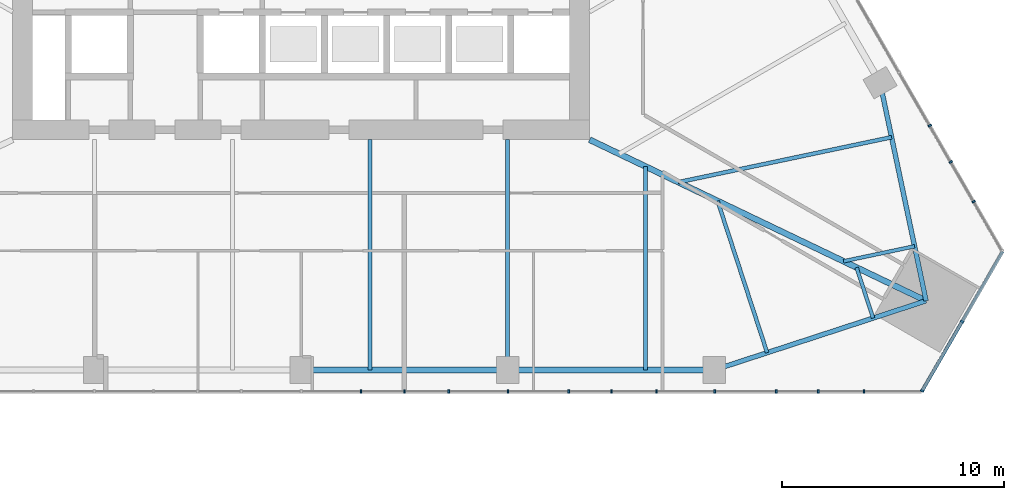
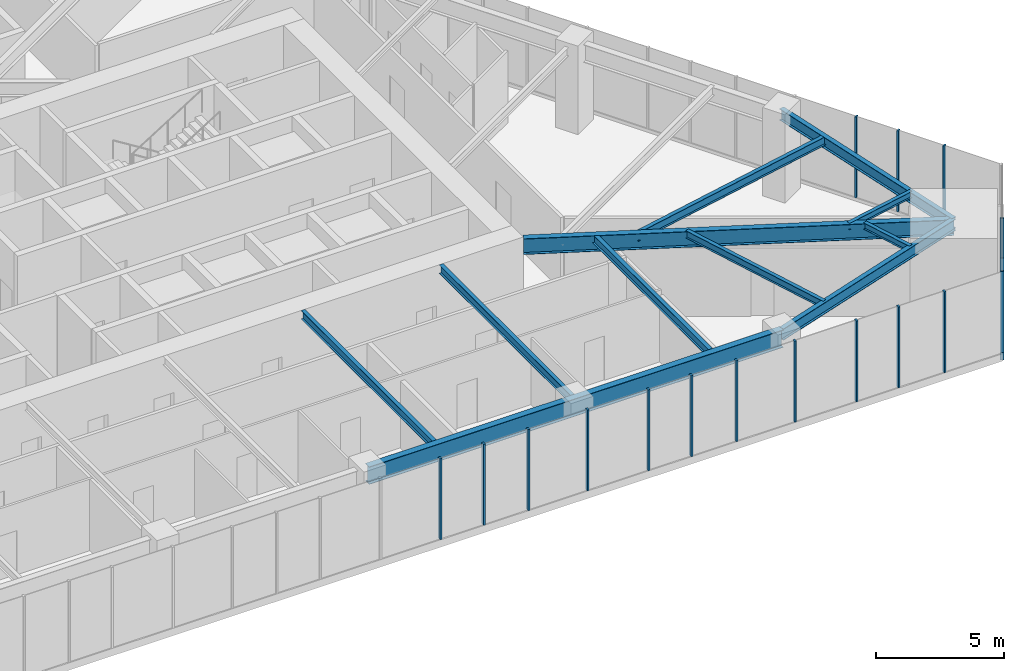
# One storey, part 5 of 25: 18 members, 11 beams, 3 elements without a shape of their own.
"""IFC4 building model written with IfcOpenShell, lengths in metres."""

from ifc_helpers import new_model, si_unit, direction, frame, origin, origin_2d, place, context, subcontext, project, spatial, rectangle, i_section, extrude, material, layer, layer_set, material_profile, profile_set, type_object, element, aggregate, save


model = new_model("IFC4")

# Units and contexts
model_context = context("Model", 3, precision=1e-05, world=origin(), true_north=direction((0.0, 1.0)))
body_context = subcontext(model_context, "Body", "Model", "MODEL_VIEW")
ifc_project = project(units=[si_unit("LENGTHUNIT", "METRE"), si_unit("AREAUNIT", "SQUARE_METRE"), si_unit("VOLUMEUNIT", "CUBIC_METRE"), si_unit("PLANEANGLEUNIT", "RADIAN"), si_unit("MASSUNIT", "GRAM", prefix="KILO")], contexts=[model_context])

# Site, building, storey
site_placement = place(None, origin())
site = spatial("IfcSite", under=ifc_project, at=site_placement, CompositionType="ELEMENT")
building_placement = place(site_placement, origin())
building = spatial("IfcBuilding", under=site, at=building_placement, Name="Firuza Gate Tower and Library", CompositionType="ELEMENT")
storey_placement = place(building_placement, frame((0.0, 0.0, 119.800048828125)))
storey = spatial("IfcBuildingStorey", under=building, at=storey_placement, Name="L27", CompositionType="ELEMENT", Elevation=119.800048828125)

# Curtain wall, members
ifc_material_1 = material(Name="Aluminium 6063-T6", Category="aluminium")
ifc_layer_1 = layer(ifc_material_1, 0.14990234375)
ifc_layer_set_1 = layer_set([ifc_layer_1], Name="Unitised curtain wall, offices")
curtain_wall_type_1 = type_object("IfcCurtainWallType", Name="Unitised curtain wall, offices", PredefinedType="NOTDEFINED", material=ifc_layer_set_1)
placement = place(storey_placement, origin())
curtain_wall_1 = element("IfcCurtainWall", 1, at=placement, inside=storey, type_object=curtain_wall_type_1, Name="CW1 L27 S face", PredefinedType="NOTDEFINED")
ifc_material_2 = material(Name="Aluminium 6063-T6", Category="aluminium")
ifc_material_profile_1 = material_profile(ifc_material_2, rectangle(XDim=0.14990234375, YDim=0.080078125, at=origin_2d()))
ifc_profile_set_1 = profile_set([ifc_material_profile_1], Name="Aluminium 6063-T6")
member_type_1 = type_object("IfcMemberType", Name="Curtain wall mullion 80x150", PredefinedType="MULLION", material=ifc_profile_set_1)
member_1_placement = place(storey_placement, frame((79.65966796875, 54.6513671875, 0.14990234375), z_axis=(0.0, 0.0, 1.0), x_axis=(0.0, 1.0, 0.0)))
member_1 = element("IfcMember", 2, at=member_1_placement, type_object=member_type_1, Name="Mullion", PredefinedType="MULLION", context=body_context, shape_type="SweptSolid", body=[
    extrude(rectangle(XDim=0.14990234375, YDim=0.080078125, at=origin_2d()), origin(), (0.0, 0.0, 1.0), 3.85009765625),
])
member_2_placement = place(storey_placement, frame((84.319580078125, 54.6513671875, 0.14990234375), z_axis=(0.0, 0.0, 1.0), x_axis=(0.0, 1.0, 0.0)))
member_2 = element("IfcMember", 3, at=member_2_placement, type_object=member_type_1, Name="Mullion", PredefinedType="MULLION", context=body_context, shape_type="SweptSolid", body=[
    extrude(rectangle(XDim=0.14990234375, YDim=0.080078125, at=origin_2d()), origin(), (0.0, 0.0, 1.0), 3.85009765625),
])
member_3_placement = place(storey_placement, frame((88.979248046875, 54.6513671875, 0.14990234375), z_axis=(0.0, 0.0, 1.0), x_axis=(0.0, 1.0, 0.0)))
member_3 = element("IfcMember", 4, at=member_3_placement, type_object=member_type_1, Name="Mullion", PredefinedType="MULLION", context=body_context, shape_type="SweptSolid", body=[
    extrude(rectangle(XDim=0.14990234375, YDim=0.080078125, at=origin_2d()), origin(), (0.0, 0.0, 1.0), 3.85009765625),
])
member_4_placement = place(storey_placement, frame((93.638916015625, 54.6513671875, 0.14990234375), z_axis=(0.0, 0.0, 1.0), x_axis=(0.0, 1.0, 0.0)))
member_4 = element("IfcMember", 5, at=member_4_placement, type_object=member_type_1, Name="Mullion", PredefinedType="MULLION", context=body_context, shape_type="SweptSolid", body=[
    extrude(rectangle(XDim=0.14990234375, YDim=0.080078125, at=origin_2d()), origin(), (0.0, 0.0, 1.0), 3.85009765625),
])
member_5_placement = place(storey_placement, frame((98.298828125, 54.6513671875, 0.14990234375), z_axis=(0.0, 0.0, 1.0), x_axis=(0.0, 1.0, 0.0)))
member_5 = element("IfcMember", 6, at=member_5_placement, type_object=member_type_1, Name="Mullion", PredefinedType="MULLION", context=body_context, shape_type="SweptSolid", body=[
    extrude(rectangle(XDim=0.14990234375, YDim=0.080078125, at=origin_2d()), origin(), (0.0, 0.0, 1.0), 3.85009765625),
])
member_6_placement = place(storey_placement, frame((77.70068359375, 54.6513671875, 0.14990234375), z_axis=(0.0, 0.0, 1.0), x_axis=(0.0, 1.0, 0.0)))
member_6 = element("IfcMember", 7, at=member_6_placement, type_object=member_type_1, Name="Mullion", PredefinedType="MULLION", context=body_context, shape_type="SweptSolid", body=[
    extrude(rectangle(XDim=0.14990234375, YDim=0.080078125, at=origin_2d()), origin(), (0.0, 0.0, 1.0), 3.85009765625),
])
member_7_placement = place(storey_placement, frame((81.653564453125, 54.6513671875, 0.14990234375), z_axis=(0.0, 0.0, 1.0), x_axis=(0.0, 1.0, 0.0)))
member_7 = element("IfcMember", 8, at=member_7_placement, type_object=member_type_1, Name="Mullion", PredefinedType="MULLION", context=body_context, shape_type="SweptSolid", body=[
    extrude(rectangle(XDim=0.14990234375, YDim=0.080078125, at=origin_2d()), origin(), (0.0, 0.0, 1.0), 3.85009765625),
])
member_8_placement = place(storey_placement, frame((87.054931640625, 54.6513671875, 0.14990234375), z_axis=(0.0, 0.0, 1.0), x_axis=(0.0, 1.0, 0.0)))
member_8 = element("IfcMember", 9, at=member_8_placement, type_object=member_type_1, Name="Mullion", PredefinedType="MULLION", context=body_context, shape_type="SweptSolid", body=[
    extrude(rectangle(XDim=0.14990234375, YDim=0.080078125, at=origin_2d()), origin(), (0.0, 0.0, 1.0), 3.85009765625),
])
member_9_placement = place(storey_placement, frame((91.0078125, 54.6513671875, 0.14990234375), z_axis=(0.0, 0.0, 1.0), x_axis=(0.0, 1.0, 0.0)))
member_9 = element("IfcMember", 10, at=member_9_placement, type_object=member_type_1, Name="Mullion", PredefinedType="MULLION", context=body_context, shape_type="SweptSolid", body=[
    extrude(rectangle(XDim=0.14990234375, YDim=0.080078125, at=origin_2d()), origin(), (0.0, 0.0, 1.0), 3.85009765625),
])
member_10_placement = place(storey_placement, frame((96.4091796875, 54.6513671875, 0.14990234375), z_axis=(0.0, 0.0, 1.0), x_axis=(0.0, 1.0, 0.0)))
member_10 = element("IfcMember", 11, at=member_10_placement, type_object=member_type_1, Name="Mullion", PredefinedType="MULLION", context=body_context, shape_type="SweptSolid", body=[
    extrude(rectangle(XDim=0.14990234375, YDim=0.080078125, at=origin_2d()), origin(), (0.0, 0.0, 1.0), 3.85009765625),
])
member_11_placement = place(storey_placement, frame((100.362060546875, 54.6513671875, 0.14990234375), z_axis=(0.0, 0.0, 1.0), x_axis=(0.0, 1.0, 0.0)))
member_11 = element("IfcMember", 12, at=member_11_placement, type_object=member_type_1, Name="Mullion", PredefinedType="MULLION", context=body_context, shape_type="SweptSolid", body=[
    extrude(rectangle(XDim=0.14990234375, YDim=0.080078125, at=origin_2d()), origin(), (0.0, 0.0, 1.0), 3.85009765625),
])
aggregate(curtain_wall_1, [member_1, member_2, member_3, member_4, member_5, member_6, member_7, member_8, member_9, member_10, member_11])

ifc_material_3 = material(Name="Aluminium 6063-T6", Category="aluminium")
ifc_layer_2 = layer(ifc_material_3, 0.14990234375)
ifc_layer_set_2 = layer_set([ifc_layer_2], Name="Corner curtain wall, chamfers")
curtain_wall_type_2 = type_object("IfcCurtainWallType", Name="Corner curtain wall, chamfers", PredefinedType="NOTDEFINED", material=ifc_layer_set_2)
curtain_wall_2 = element("IfcCurtainWall", 13, at=placement, inside=storey, type_object=curtain_wall_type_2, Name="CW4 L27 SE corner", PredefinedType="NOTDEFINED")
member_12_placement = place(storey_placement, frame((102.978515625, 54.685791015625, 0.14990234375), z_axis=(0.0, 0.0, 1.0), x_axis=(-0.866025403784, 0.5, 0.0)))
member_12 = element("IfcMember", 14, at=member_12_placement, type_object=member_type_1, Name="Mullion", PredefinedType="MULLION", context=body_context, shape_type="SweptSolid", body=[
    extrude(rectangle(XDim=0.14990234375, YDim=0.080078125, at=origin_2d()), origin(), (0.0, 0.0, 1.0), 3.85009765625),
])
member_13_placement = place(storey_placement, frame((104.780029296875, 57.806396484375, 0.14990234375), z_axis=(0.0, 0.0, 1.0), x_axis=(-0.866025403784, 0.5, 0.0)))
member_13 = element("IfcMember", 15, at=member_13_placement, type_object=member_type_1, Name="Mullion", PredefinedType="MULLION", context=body_context, shape_type="SweptSolid", body=[
    extrude(rectangle(XDim=0.14990234375, YDim=0.080078125, at=origin_2d()), origin(), (0.0, 0.0, 1.0), 3.85009765625),
])

curtain_wall_3 = element("IfcCurtainWall", 16, at=placement, inside=storey, type_object=curtain_wall_type_1, Name="CW1 L27 E face", PredefinedType="NOTDEFINED")
member_14_placement = place(storey_placement, frame((104.27197265625, 64.9970703125, 0.14990234375), z_axis=(0.0, 0.0, 1.0), x_axis=(-0.866025403784, -0.5, 0.0)))
member_14 = element("IfcMember", 17, at=member_14_placement, type_object=member_type_1, Name="Mullion", PredefinedType="MULLION", context=body_context, shape_type="SweptSolid", body=[
    extrude(rectangle(XDim=0.14990234375, YDim=0.080078125, at=origin_2d()), origin(), (0.0, 0.0, 1.0), 3.85009765625),
])
member_15_placement = place(storey_placement, frame((105.303466796875, 63.210205078125, 0.14990234375), z_axis=(0.0, 0.0, 1.0), x_axis=(-0.866025403784, -0.5, 0.0)))
member_15 = element("IfcMember", 18, at=member_15_placement, type_object=member_type_1, Name="Mullion", PredefinedType="MULLION", context=body_context, shape_type="SweptSolid", body=[
    extrude(rectangle(XDim=0.14990234375, YDim=0.080078125, at=origin_2d()), origin(), (0.0, 0.0, 1.0), 3.85009765625),
])
member_16_placement = place(storey_placement, frame((103.3271484375, 66.633544921875, 0.14990234375), z_axis=(0.0, 0.0, 1.0), x_axis=(-0.866025403784, -0.5, 0.0)))
member_16 = element("IfcMember", 19, at=member_16_placement, type_object=member_type_1, Name="Mullion", PredefinedType="MULLION", context=body_context, shape_type="SweptSolid", body=[
    extrude(rectangle(XDim=0.14990234375, YDim=0.080078125, at=origin_2d()), origin(), (0.0, 0.0, 1.0), 3.85009765625),
])
aggregate(curtain_wall_3, [member_14, member_15, member_16])

# Member
ifc_material_4 = material(Name="Aluminium 6063-T6", Category="aluminium")
ifc_material_profile_2 = material_profile(ifc_material_4, rectangle(XDim=0.14990234375, YDim=0.35009765625, at=origin_2d()))
ifc_profile_set_2 = profile_set([ifc_material_profile_2], Name="Aluminium 6063-T6")
member_type_2 = type_object("IfcMemberType", Name="Curtain wall transom 350x150", PredefinedType="USERDEFINED", material=ifc_profile_set_2)
member_17_placement = place(storey_placement, frame((102.95849609375, 54.6513671875, -0.025146484375), z_axis=(0.500005719219, 0.866022101766, 0.0), x_axis=(-0.866022101766, 0.500005719219, 0.0)))
member_17 = element("IfcMember", 20, at=member_17_placement, type_object=member_type_2, Name="Transom", ObjectType="TRANSOM", PredefinedType="USERDEFINED", context=body_context, shape_type="SweptSolid", body=[
    extrude(rectangle(XDim=0.14990234375, YDim=0.35009765625, at=origin_2d()), origin(), (0.0, 0.0, 1.0), 7.28662109375),
])

ifc_material_5 = material(Name="Aluminium 6063-T6", Category="aluminium")
ifc_material_profile_3 = material_profile(ifc_material_5, rectangle(XDim=0.14990234375, YDim=0.080078125, at=origin_2d()))
ifc_profile_set_3 = profile_set([ifc_material_profile_3], Name="Aluminium 6063-T6")
member_type_3 = type_object("IfcMemberType", Name="Curtain wall transom 80x150", PredefinedType="USERDEFINED", material=ifc_profile_set_3)
member_18_placement = place(storey_placement, frame((102.978515625, 54.685791015625, 2.074951171875), z_axis=(0.49996364809, 0.866046390552, 0.0), x_axis=(-0.866046390552, 0.49996364809, 0.0)))
member_18 = element("IfcMember", 21, at=member_18_placement, type_object=member_type_3, Name="Transom", ObjectType="TRANSOM", PredefinedType="USERDEFINED", context=body_context, shape_type="SweptSolid", body=[
    extrude(rectangle(XDim=0.14990234375, YDim=0.080078125, at=origin_2d()), origin(), (0.0, 0.0, 1.0), 3.563232421875),
])

aggregate(curtain_wall_2, [member_12, member_13, member_17, member_18])

# Beams
ifc_material_6 = material(Name="Steel S355", Category="steel")
ifc_material_profile_4 = material_profile(ifc_material_6, i_section(OverallWidth=0.1650390625, OverallDepth=0.31005859375, WebThickness=0.005859375, FlangeThickness=0.009765625, at=origin_2d()))
ifc_profile_set_4 = profile_set([ifc_material_profile_4], Name="Steel S355")
beam_type_1 = type_object("IfcBeamType", Name="W310x39 Floor beam", PredefinedType="JOIST", material=ifc_profile_set_4)
beam_1_placement = place(storey_placement, frame((100.769775390625, 57.964599609375, 3.844970703125), z_axis=(-0.31050698786, 0.95057109702, 0.0), x_axis=(-0.95057109702, -0.31050698786, 0.0)))
element("IfcBeam", 22, at=beam_1_placement, inside=storey, type_object=beam_type_1, Name="Floor beam L27 s31", PredefinedType="JOIST", context=body_context, shape_type="SweptSolid", body=[
    extrude(i_section(OverallWidth=0.1650390625, OverallDepth=0.31005859375, WebThickness=0.005859375, FlangeThickness=0.009765625, at=origin_2d()), origin(), (0.0, 0.0, 1.0), 2.396484375),
])
beam_2_placement = place(storey_placement, frame((102.637939453125, 61.200439453125, 3.844970703125), z_axis=(-0.978457064739, -0.206450411631, 0.0), x_axis=(0.206450411631, -0.978457064739, 0.0)))
element("IfcBeam", 23, at=beam_2_placement, inside=storey, type_object=beam_type_1, Name="Floor beam L27 s40", PredefinedType="JOIST", context=body_context, shape_type="SweptSolid", body=[
    extrude(i_section(OverallWidth=0.1650390625, OverallDepth=0.31005859375, WebThickness=0.005859375, FlangeThickness=0.009765625, at=origin_2d()), origin(), (0.0, 0.0, 1.0), 3.272216796875),
])
ifc_material_7 = material(Name="Steel S355", Category="steel")
ifc_material_profile_5 = material_profile(ifc_material_7, i_section(OverallWidth=0.1708984375, OverallDepth=0.35498046875, WebThickness=0.007080078125, FlangeThickness=0.01171875, at=origin_2d()))
ifc_profile_set_5 = profile_set([ifc_material_profile_5], Name="Steel S355")
beam_type_2 = type_object("IfcBeamType", Name="W360x51 Floor beam", PredefinedType="JOIST", material=ifc_profile_set_5)
beam_3_placement = place(storey_placement, frame((95.99658203125, 56.40576171875, 3.822509765625), z_axis=(-0.310435598009, 0.950594413769, 0.0), x_axis=(-0.950594413769, -0.310435598009, 0.0)))
element("IfcBeam", 24, at=beam_3_placement, inside=storey, type_object=beam_type_2, Name="Floor beam L27 s30", PredefinedType="JOIST", context=body_context, shape_type="SweptSolid", body=[
    extrude(i_section(OverallWidth=0.1708984375, OverallDepth=0.35498046875, WebThickness=0.007080078125, FlangeThickness=0.01171875, at=origin_2d()), origin(), (0.0, 0.0, 1.0), 7.189697265625),
])
ifc_material_8 = material(Name="Steel S355", Category="steel")
ifc_material_profile_6 = material_profile(ifc_material_8, i_section(OverallWidth=0.177978515625, OverallDepth=0.406982421875, WebThickness=0.0078125, FlangeThickness=0.0126953125, at=origin_2d()))
ifc_profile_set_6 = profile_set([ifc_material_profile_6], Name="Steel S355")
beam_type_3 = type_object("IfcBeamType", Name="W410x60 Floor beam", PredefinedType="JOIST", material=ifc_profile_set_6)
for number, where, z_axis, x_axis, name in (
    (25, (78.101806640625, 55.626220703125, 3.79638671875), (0.0, 1.0, 0.0), (-1.0, 0.0, 0.0), "Floor beam L27 s23"),
    (26, (84.30517578125, 55.626220703125, 3.79638671875), (0.0, 1.0, 0.0), (-1.0, 0.0, 0.0), "Floor beam L27 s24"),
):
    element("IfcBeam", number, at=place(storey_placement, frame(where, z_axis=z_axis, x_axis=x_axis)), inside=storey, type_object=beam_type_3, Name=name, PredefinedType="JOIST", context=body_context, shape_type="SweptSolid", body=[
        extrude(i_section(OverallWidth=0.177978515625, OverallDepth=0.406982421875, WebThickness=0.0078125, FlangeThickness=0.0126953125, at=origin_2d()), origin(), (0.0, 0.0, 1.0), 10.373779296875),
    ])
beam_4_placement = place(storey_placement, frame((90.508544921875, 55.626220703125, 3.79638671875), z_axis=(0.0, 1.0, 0.0), x_axis=(-1.0, 0.0, 0.0)))
element("IfcBeam", 27, at=beam_4_placement, inside=storey, type_object=beam_type_3, Name="Floor beam L27 s25", PredefinedType="JOIST", context=body_context, shape_type="SweptSolid", body=[
    extrude(i_section(OverallWidth=0.177978515625, OverallDepth=0.406982421875, WebThickness=0.0078125, FlangeThickness=0.0126953125, at=origin_2d()), origin(), (0.0, 0.0, 1.0), 9.1728515625),
])
beam_5_placement = place(storey_placement, frame((101.6015625, 66.113525390625, 3.79638671875), z_axis=(-0.978460244471, -0.206435340942, 0.0), x_axis=(0.206435340942, -0.978460244471, 0.0)))
element("IfcBeam", 28, at=beam_5_placement, inside=storey, type_object=beam_type_3, Name="Floor beam L27 s41", PredefinedType="JOIST", context=body_context, shape_type="SweptSolid", body=[
    extrude(i_section(OverallWidth=0.177978515625, OverallDepth=0.406982421875, WebThickness=0.0078125, FlangeThickness=0.0126953125, at=origin_2d()), origin(), (0.0, 0.0, 1.0), 9.817138671875),
])
ifc_material_9 = material(Name="Steel S355", Category="steel")
ifc_material_profile_7 = material_profile(ifc_material_9, i_section(OverallWidth=0.212890625, OverallDepth=0.5390625, WebThickness=0.01171875, FlangeThickness=0.018798828125, at=origin_2d()))
ifc_profile_set_7 = profile_set([ifc_material_profile_7], Name="Steel S355")
beam_type_4 = type_object("IfcBeamType", Name="W530x109 Edge beam", PredefinedType="SPANDREL", material=ifc_profile_set_7)
beam_6_placement = place(storey_placement, frame((93.610107421875, 55.626220703125, 3.73046875), z_axis=(0.950588765818, 0.310452892241, 0.0), x_axis=(-0.310452892241, 0.950588765818, 0.0)))
element("IfcBeam", 29, at=beam_6_placement, inside=storey, type_object=beam_type_4, Name="Edge beam L27 e30", PredefinedType="SPANDREL", context=body_context, shape_type="SweptSolid", body=[
    extrude(i_section(OverallWidth=0.212890625, OverallDepth=0.5390625, WebThickness=0.01171875, FlangeThickness=0.018798828125, at=origin_2d()), origin(), (0.0, 0.0, 1.0), 10.042236328125),
])
beam_7_placement = place(storey_placement, frame((103.15625, 58.743896484375, 3.73046875), z_axis=(-0.206423360116, 0.978462772107, 0.0), x_axis=(-0.978462772107, -0.206423360116, 0.0)))
element("IfcBeam", 30, at=beam_7_placement, inside=storey, type_object=beam_type_4, Name="Edge beam L27 e40", PredefinedType="SPANDREL", context=body_context, shape_type="SweptSolid", body=[
    extrude(i_section(OverallWidth=0.212890625, OverallDepth=0.5390625, WebThickness=0.01171875, FlangeThickness=0.018798828125, at=origin_2d()), origin(), (0.0, 0.0, 1.0), 10.04248046875),
])
ifc_material_10 = material(Name="Steel S355", Category="steel")
ifc_material_profile_8 = material_profile(ifc_material_10, i_section(OverallWidth=0.264892578125, OverallDepth=0.7529296875, WebThickness=0.01318359375, FlangeThickness=0.01708984375, at=origin_2d()))
ifc_profile_set_8 = profile_set([ifc_material_profile_8], Name="Steel S355")
beam_type_5 = type_object("IfcBeamType", Name="W760x147 Girder", PredefinedType="BEAM", material=ifc_profile_set_8)
beam_8_placement = place(storey_placement, frame((103.15625, 58.743896484375, 3.62353515625), z_axis=(-0.901961298657, 0.431816877535, 0.0), x_axis=(-0.431816877535, -0.901961298657, 0.0)))
element("IfcBeam", 31, at=beam_8_placement, inside=storey, type_object=beam_type_5, Name="Girder L27 gSE", PredefinedType="BEAM", context=body_context, shape_type="SweptSolid", body=[
    extrude(i_section(OverallWidth=0.264892578125, OverallDepth=0.7529296875, WebThickness=0.01318359375, FlangeThickness=0.01708984375, at=origin_2d()), origin(), (0.0, 0.0, 1.0), 16.8037109375),
])
ifc_material_11 = material(Name="Steel S355", Category="steel")
ifc_material_profile_9 = material_profile(ifc_material_11, i_section(OverallWidth=0.2919921875, OverallDepth=0.8349609375, WebThickness=0.013916015625, FlangeThickness=0.018798828125, at=origin_2d()))
ifc_profile_set_9 = profile_set([ifc_material_profile_9], Name="Steel S355")
beam_type_6 = type_object("IfcBeamType", Name="W840x176 Edge beam", PredefinedType="SPANDREL", material=ifc_profile_set_9)
beam_9_placement = place(storey_placement, frame((75.0, 55.626220703125, 3.58251953125), z_axis=(1.0, 0.0, 0.0), x_axis=(0.0, 1.0, 0.0)))
element("IfcBeam", 32, at=beam_9_placement, inside=storey, type_object=beam_type_6, Name="Edge beam L27 e22", PredefinedType="SPANDREL", context=body_context, shape_type="SweptSolid", body=[
    extrude(i_section(OverallWidth=0.2919921875, OverallDepth=0.8349609375, WebThickness=0.013916015625, FlangeThickness=0.018798828125, at=origin_2d()), origin(), (0.0, 0.0, 1.0), 18.610107421875),
])

save(model, "model.ifc")
